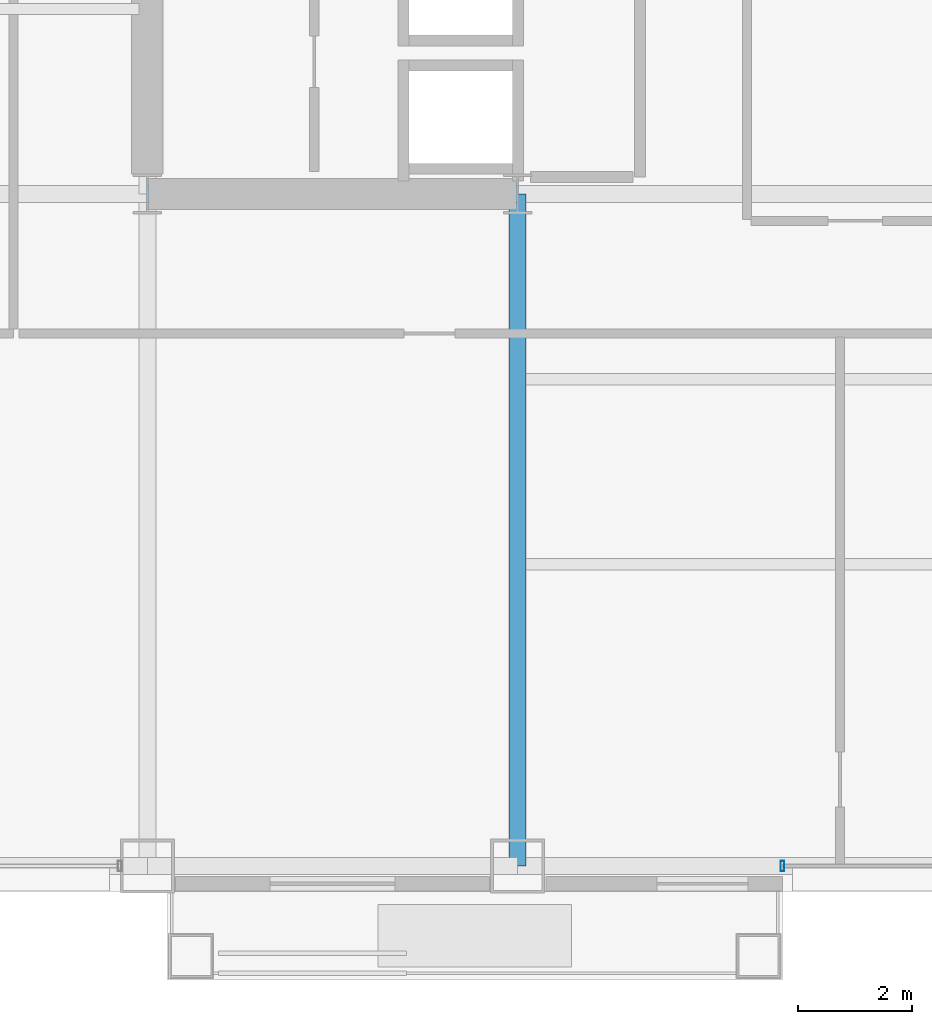
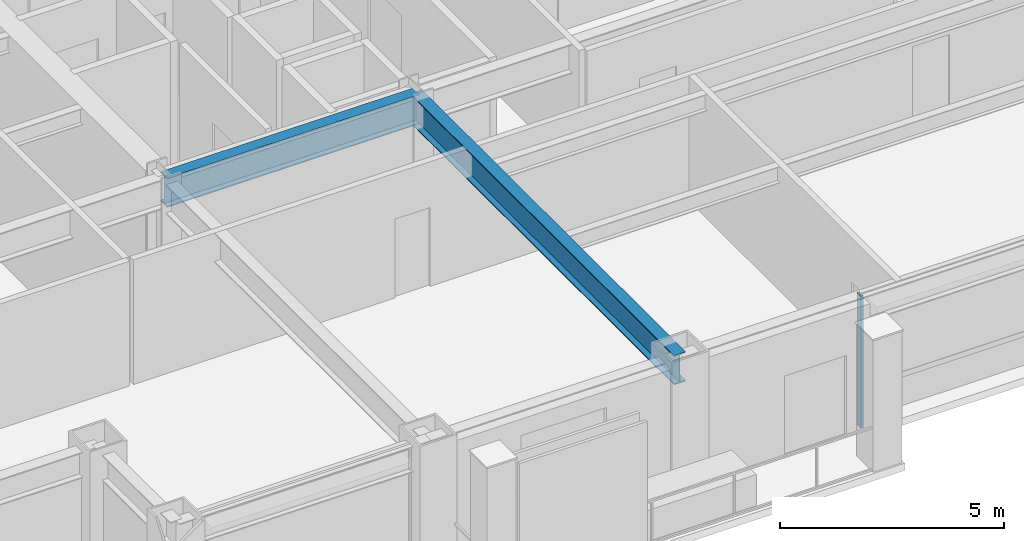
# One storey, part 5 of 31: 2 beams, 1 member, 1 element without a shape of its own.
"""IFC4 building model written with IfcOpenShell, lengths in metres."""

from ifc_helpers import new_model, si_unit, direction, frame, origin, origin_2d, place, context, subcontext, project, spatial, hollow_rectangle, i_section, extrude, material, layer, layer_set, material_profile, profile_set, type_object, element, aggregate, save


model = new_model("IFC4")

# Units and contexts
model_context = context("Model", 3, precision=1e-05, world=origin(), true_north=direction((0.0, 1.0)))
body_context = subcontext(model_context, "Body", "Model", "MODEL_VIEW")
ifc_project = project(units=[si_unit("LENGTHUNIT", "METRE"), si_unit("AREAUNIT", "SQUARE_METRE"), si_unit("VOLUMEUNIT", "CUBIC_METRE"), si_unit("PLANEANGLEUNIT", "RADIAN"), si_unit("MASSUNIT", "GRAM", prefix="KILO")], contexts=[model_context])

# Site, building, storey
site_placement = place(None, origin())
site = spatial("IfcSite", under=ifc_project, at=site_placement, CompositionType="ELEMENT")
building_placement = place(site_placement, origin())
building = spatial("IfcBuilding", under=site, at=building_placement, Name="Brelmoor Portico Tower", CompositionType="ELEMENT")
storey_placement = place(building_placement, frame((0.0, 0.0, 31.199951171875)))
storey = spatial("IfcBuildingStorey", under=building, at=storey_placement, Name="L07", CompositionType="ELEMENT", Elevation=31.199951171875)

# Beams
ifc_material_1 = material(Name="Steel Q355B", Category="steel")
ifc_material_profile_1 = material_profile(ifc_material_1, i_section(OverallWidth=0.300048828125, OverallDepth=0.800048828125, WebThickness=0.013916015625, FlangeThickness=0.02587890625, at=origin_2d()), Name="HN 800x300x14x26")
ifc_profile_set_1 = profile_set([ifc_material_profile_1], Name="Steel Q355B")
beam_type = type_object("IfcBeamType", Name="BM-PG-800", PredefinedType="BEAM", material=ifc_profile_set_1)
beam_1_placement = place(storey_placement, frame((-8.050048828125, -21.550048828125, 3.0), z_axis=(0.0, 1.0, 0.0), x_axis=(-1.0, 0.0, 0.0)))
element("IfcBeam", 1, at=beam_1_placement, inside=storey, type_object=beam_type, Name="L07 Primary Floor Girder PG-07", PredefinedType="BEAM", context=body_context, shape_type="SweptSolid", body=[
    extrude(i_section(OverallWidth=0.300048828125, OverallDepth=0.800048828125, WebThickness=0.013916015625, FlangeThickness=0.02587890625, at=origin_2d()), origin(), (0.0, 0.0, 1.0), 11.800048828125),
])
beam_2_placement = place(storey_placement, frame((-14.550048828125, -9.75, 3.0), z_axis=(1.0, 0.0, 0.0), x_axis=(0.0, 1.0, 0.0)))
element("IfcBeam", 2, at=beam_2_placement, inside=storey, type_object=beam_type, Name="L07 Primary Floor Girder PG-20", PredefinedType="BEAM", context=body_context, shape_type="SweptSolid", body=[
    extrude(i_section(OverallWidth=0.300048828125, OverallDepth=0.800048828125, WebThickness=0.013916015625, FlangeThickness=0.02587890625, at=origin_2d()), origin(), (0.0, 0.0, 1.0), 6.5),
])

# Curtain wall, member
ifc_material_2 = material(Name="Anodised Aluminium Alloy 6063-T6", Category="aluminium")
ifc_layer = layer(ifc_material_2, 0.179931640625)
ifc_layer_set = layer_set([ifc_layer], Name="Anodised Aluminium Alloy 6063-T6")
curtain_wall_type = type_object("IfcCurtainWallType", Name="CW-TOWER-Z1", PredefinedType="NOTDEFINED", material=ifc_layer_set)
curtain_wall_placement = place(storey_placement, origin())
curtain_wall = element("IfcCurtainWall", 3, at=curtain_wall_placement, inside=storey, type_object=curtain_wall_type, Name="L07 Curtain Wall CW-L07-1R-1", PredefinedType="NOTDEFINED")
ifc_material_profile_2 = material_profile(ifc_material_2, hollow_rectangle(XDim=0.06494140625, YDim=0.179931640625, WallThickness=0.00390625, at=origin_2d()), Name="ALU MULLION 65x180")
ifc_profile_set_2 = profile_set([ifc_material_profile_2], Name="Anodised Aluminium Alloy 6063-T6")
member_type = type_object("IfcMemberType", Name="MB-CW-MULL-180", PredefinedType="MULLION", material=ifc_profile_set_2)
member_placement = place(storey_placement, frame((-3.39990234375, -21.550048828125, -0.199951171875), z_axis=(0.0, 0.0, 1.0), x_axis=(1.0, 0.0, 0.0)))
member = element("IfcMember", 4, at=member_placement, type_object=member_type, Name="CW-L07-1R-1 Mullion 00", PredefinedType="MULLION", context=body_context, shape_type="SweptSolid", body=[
    extrude(hollow_rectangle(XDim=0.06494140625, YDim=0.179931640625, WallThickness=0.00390625, at=origin_2d()), origin(), (0.0, 0.0, 1.0), 3.60009765625),
])
aggregate(curtain_wall, [member])

save(model, "model.ifc")
